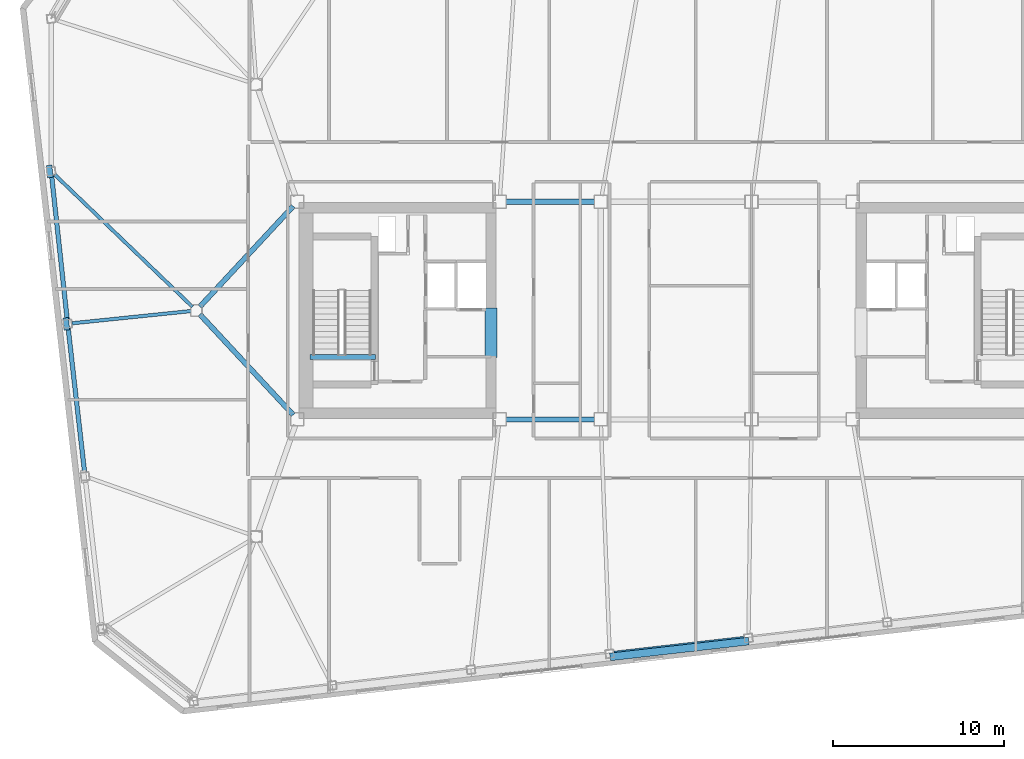
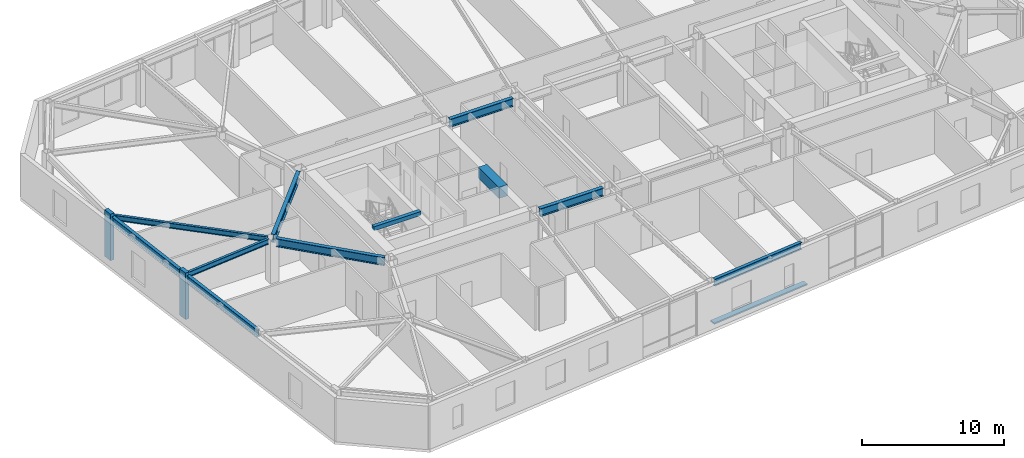
# One storey, part 5 of 19: 11 beams, 3 members.
"""IFC4 building model written with IfcOpenShell, lengths in metres."""

import ifcopenshell
import ifcopenshell.guid

model = None  # the IFC model being written
_history = None  # IfcOwnerHistory: only IFC2X3 demands one
_inside = {}  # id of a spatial element -> (the spatial element, [elements in it])
_under = {}  # id of a project, library or spatial element -> (it, [spatial elements below it])
_declared = {}  # id of a project -> (the project, [libraries it declares])
_typed = {}  # id of a type object -> (the type object, [elements of that type])
_made_of = {}  # id of a material, layer set ... -> (it, [elements and type objects made of it])


def new_model(schema):
    """Start an empty IFC model of exactly this schema.

    Asked for "IFC4X3", IfcOpenShell would pick the latest addendum, in which some entities
    have other attributes; the version numbers below select the first issue.
    IFC2X3 requires an IfcOwnerHistory on every rooted entity: one is made here for all.
    """
    global model, _history
    if schema == "IFC4X3":
        model = ifcopenshell.file(schema_version=(4, 3, 0, 0))
    else:
        model = ifcopenshell.file(schema=schema)
    _inside.clear()
    _under.clear()
    _declared.clear()
    _typed.clear()
    _made_of.clear()
    _history = None
    if model.schema == "IFC2X3":
        org = make("IfcOrganization", Name="unknown")
        user = make(
            "IfcPersonAndOrganization",
            ThePerson=make("IfcPerson", FamilyName="unknown"),
            TheOrganization=org,
        )
        app = make(
            "IfcApplication",
            ApplicationDeveloper=org,
            Version="unknown",
            ApplicationFullName="unknown",
            ApplicationIdentifier="unknown",
        )
        _history = make(
            "IfcOwnerHistory",
            OwningUser=user,
            OwningApplication=app,
            ChangeAction="ADDED",
            CreationDate=0,
        )
    return model


def make(cls, **values):
    """One entity of the class cls with the attributes given. An attribute that is None is left unset."""
    return model.create_entity(
        cls, **{name: value for name, value in values.items() if value is not None}
    )


def rooted(cls, **values):
    """An entity with a GlobalId (a new one), such as an element, a storey or a relation."""
    return make(cls, GlobalId=ifcopenshell.guid.new(), OwnerHistory=_history, **values)


def si_unit(unit_type, name, prefix=None):
    """IfcSIUnit, for example si_unit("LENGTHUNIT", "METRE", prefix="MILLI")."""
    return make("IfcSIUnit", UnitType=unit_type, Prefix=prefix, Name=name)


def assignment(units):
    """IfcUnitAssignment: the units of a project."""
    return None if units is None else make("IfcUnitAssignment", Units=units)


def point(xyz):
    """IfcCartesianPoint."""
    return None if xyz is None else make("IfcCartesianPoint", Coordinates=xyz)


def direction(xyz):
    """IfcDirection."""
    return None if xyz is None else make("IfcDirection", DirectionRatios=xyz)


def frame(location, z_axis=None, x_axis=None):
    """IfcAxis2Placement3D, a coordinate frame: its origin and axes. An axis left out is left unset."""
    return make(
        "IfcAxis2Placement3D",
        Location=point(location),
        Axis=direction(z_axis),
        RefDirection=direction(x_axis),
    )


def frame_2d(location, x_axis=None):
    """IfcAxis2Placement2D, a coordinate frame in the plane: its origin and x axis."""
    return make(
        "IfcAxis2Placement2D", Location=point(location), RefDirection=direction(x_axis)
    )


def origin():
    """The frame at (0, 0, 0) with its axes left unset."""
    return frame((0.0, 0.0, 0.0))


def origin_2d():
    """The frame at (0, 0) in the plane with its x axis left unset."""
    return frame_2d((0.0, 0.0))


def place(relative_to, where):
    """IfcLocalPlacement: puts the frame where relative to a parent placement (None: the world)."""
    return make(
        "IfcLocalPlacement", PlacementRelTo=relative_to, RelativePlacement=where
    )


def context(
    kind, dimensions, precision=None, world=None, true_north=None, identifier=None
):
    """IfcGeometricRepresentationContext, for example the 3D "Model" context."""
    return make(
        "IfcGeometricRepresentationContext",
        ContextIdentifier=identifier,
        ContextType=kind,
        CoordinateSpaceDimension=dimensions,
        Precision=precision,
        WorldCoordinateSystem=world,
        TrueNorth=true_north,
    )


def subcontext(parent, identifier, kind, view, scale=None):
    """IfcGeometricRepresentationSubContext, for example "Body" below "Model"."""
    return make(
        "IfcGeometricRepresentationSubContext",
        ContextIdentifier=identifier,
        ContextType=kind,
        ParentContext=parent,
        TargetScale=scale,
        TargetView=view,
    )


def project(units=None, contexts=None):
    """IfcProject with its units and contexts."""
    return rooted(
        "IfcProject",
        Name="project",
        RepresentationContexts=contexts,
        UnitsInContext=assignment(units),
    )


def spatial(cls, under=None, at=None, **own):
    """A site, building, storey or space (cls), placed at a placement, below another one or the project."""
    s = rooted(cls, ObjectPlacement=at, **own)
    if under is not None:
        _under.setdefault(under.id(), (under, []))[1].append(s)
    return s


def profile(cls, at=None, kind="AREA", **sizes):
    """A parametric profile (cls). Its sizes go by their IFC names, for example OverallWidth=200.0."""
    return make(cls, ProfileType=kind, Position=at, **sizes)


def rectangle(**sizes):
    """IfcRectangleProfileDef."""
    return profile("IfcRectangleProfileDef", **sizes)


def i_section(**sizes):
    """IfcIShapeProfileDef."""
    return profile("IfcIShapeProfileDef", **sizes)


def extrude(swept, where, along, depth):
    """IfcExtrudedAreaSolid: the profile swept, set in the frame where, extruded along a direction by depth."""
    return make(
        "IfcExtrudedAreaSolid",
        SweptArea=swept,
        Position=where,
        ExtrudedDirection=direction(along),
        Depth=depth,
    )


def shape(context_of_items, identifier, shape_type, items):
    """IfcShapeRepresentation: the items that make up one representation, for example the "Body"."""
    return make(
        "IfcShapeRepresentation",
        ContextOfItems=context_of_items,
        RepresentationIdentifier=identifier,
        RepresentationType=shape_type,
        Items=items,
    )


def material(Name=None, Category=None):
    """IfcMaterial."""
    return make("IfcMaterial", Name=Name, Category=Category)


def material_profile(
    of_material, cross_section, Name=None, Category=None, Priority=None
):
    """IfcMaterialProfile: a cross section and its material."""
    return make(
        "IfcMaterialProfile",
        Name=Name,
        Material=of_material,
        Profile=cross_section,
        Priority=Priority,
        Category=Category,
    )


def profile_set(profiles, Name=None, composite=None):
    """IfcMaterialProfileSet."""
    return make(
        "IfcMaterialProfileSet",
        Name=Name,
        MaterialProfiles=profiles,
        CompositeProfile=composite,
    )


def made_of(thing, what):
    """Note that an element or type object is made of a material, layer set ...; save() writes the relation."""
    if what is not None:
        _made_of.setdefault(what.id(), (what, []))[1].append(thing)
    return thing


def type_object(cls, material=None, **own):
    """A type object (cls), such as IfcWallType, which elements share."""
    return made_of(rooted(cls, **own), material)


def element(
    cls,
    number,
    at=None,
    inside=None,
    cuts=None,
    type_object=None,
    material=None,
    context=None,
    identifier="Body",
    shape_type=None,
    held_by="IfcProductDefinitionShape",
    body=None,
    shapes=None,
    **own,
):
    """One element of the class cls, such as IfcWall. Its Tag is "e" and its number.

    at: its placement. inside: the storey or other place that contains it. cuts: it is an
    opening in that element (IfcRelVoidsElement). A single representation is given by context,
    identifier, shape_type and body (its items); several are given by shapes. held_by: the class
    of the entity that holds the representations. save() writes the other relations.
    """
    e = rooted(cls, Tag="e%d" % number, ObjectPlacement=at, **own)
    if body is not None:
        shapes = [shape(context, identifier, shape_type, body)]
    if shapes is not None:
        e.Representation = make(held_by, Representations=shapes)
    if inside is not None:
        _inside.setdefault(inside.id(), (inside, []))[1].append(e)
    if cuts is not None:
        rooted(
            "IfcRelVoidsElement", RelatingBuildingElement=cuts, RelatedOpeningElement=e
        )
    if type_object is not None:
        _typed.setdefault(type_object.id(), (type_object, []))[1].append(e)
    return made_of(e, material)


def aggregate(whole, parts):
    """IfcRelAggregates: a whole, such as a stair, and the parts it consists of."""
    return rooted("IfcRelAggregates", RelatingObject=whole, RelatedObjects=parts)


def save(model, path):
    """Write the relations noted so far, then the file.

    IfcRelAggregates (storeys below a building ...), IfcRelContainedInSpatialStructure (elements
    in a storey), IfcRelDefinesByType, IfcRelAssociatesMaterial and IfcRelDeclares: one each for
    every whole, place, type object, material and project.
    """
    for whole, parts in _under.values():
        aggregate(whole, parts)
    for where, things in _inside.values():
        rooted(
            "IfcRelContainedInSpatialStructure",
            RelatedElements=things,
            RelatingStructure=where,
        )
    for kind, things in _typed.values():
        rooted("IfcRelDefinesByType", RelatedObjects=things, RelatingType=kind)
    for what, things in _made_of.values():
        rooted("IfcRelAssociatesMaterial", RelatedObjects=things, RelatingMaterial=what)
    for by, libraries in _declared.values():
        rooted("IfcRelDeclares", RelatingContext=by, RelatedDefinitions=libraries)
    model.write(path)


model = new_model("IFC4")

# Units and contexts
model_context = context("Model", 3, precision=1e-05, world=origin(), true_north=direction((0.0, 1.0)))
body_context = subcontext(model_context, "Body", "Model", "MODEL_VIEW")
ifc_project = project(units=[si_unit("LENGTHUNIT", "METRE"), si_unit("AREAUNIT", "SQUARE_METRE"), si_unit("VOLUMEUNIT", "CUBIC_METRE"), si_unit("PLANEANGLEUNIT", "RADIAN"), si_unit("MASSUNIT", "GRAM", prefix="KILO")], contexts=[model_context])

# Site, building, storey
site_placement = place(None, origin())
site = spatial("IfcSite", under=ifc_project, at=site_placement, CompositionType="ELEMENT")
building_placement = place(site_placement, origin())
building = spatial("IfcBuilding", under=site, at=building_placement, Name="Tavrogorsk Clinical Tower", CompositionType="ELEMENT")
storey_placement = place(building_placement, frame((0.0, 0.0, 255.0)))
storey = spatial("IfcBuildingStorey", under=building, at=storey_placement, Name="L59", CompositionType="ELEMENT", Elevation=255.0)

# Member
ifc_material_1 = material(Name="Anodised aluminium alloy AW-6063", Category="aluminium")
ifc_material_profile_1 = material_profile(ifc_material_1, rectangle(XDim=0.449951171875, YDim=0.1201171875, at=origin_2d()), Name="ALU-SUNSHADE-450x120")
ifc_profile_set_1 = profile_set([ifc_material_profile_1], Name="Anodised aluminium alloy AW-6063")
member_type_1 = type_object("IfcMemberType", Name="ChicagoSunshade_450x120", PredefinedType="USERDEFINED", material=ifc_profile_set_1)
member_placement = place(storey_placement, frame((-3.855712890625, -20.214111328125, 0.179931640625), z_axis=(0.99356960656, 0.11322295227, 0.0), x_axis=(-0.11322295227, 0.99356960656, 0.0)))
element("IfcMember", 1, at=member_placement, inside=storey, type_object=member_type_1, Name="L59 South Aluminium Sunshade S4", ObjectType="SUNSHADE", PredefinedType="USERDEFINED", context=body_context, shape_type="SweptSolid", body=[
    extrude(rectangle(XDim=0.449951171875, YDim=0.1201171875, at=origin_2d()), origin(), (0.0, 0.0, 1.0), 8.148681640625),
])

# Beams
ifc_material_2 = material(Name="Concrete B80", Category="concrete")
ifc_material_profile_2 = material_profile(ifc_material_2, rectangle(XDim=0.699951171875, YDim=0.949951171875, at=origin_2d()), Name="RC-CB-700x950")
ifc_profile_set_2 = profile_set([ifc_material_profile_2], Name="Concrete B80")
beam_type_1 = type_object("IfcBeamType", Name="CouplingBeam_RC700x950", PredefinedType="LINTEL", material=ifc_profile_set_2)
beam_1_placement = place(storey_placement, frame((-10.800048828125, -2.75, 3.264892578125), z_axis=(0.0, 1.0, 0.0), x_axis=(-1.0, 0.0, 0.0)))
element("IfcBeam", 2, at=beam_1_placement, inside=storey, type_object=beam_type_1, Name="L59 Core West Coupling Beam", PredefinedType="LINTEL", context=body_context, shape_type="SweptSolid", body=[
    extrude(rectangle(XDim=0.699951171875, YDim=0.949951171875, at=origin_2d()), origin(), (0.0, 0.0, 1.0), 2.89990234375),
])
ifc_material_3 = material(Name="Structural steel S355", Category="steel")
ifc_material_profile_3 = material_profile(ifc_material_3, i_section(OverallWidth=0.199951171875, OverallDepth=0.449951171875, WebThickness=0.011474609375, FlangeThickness=0.01806640625, at=origin_2d()), Name="B-450x200x11.5x18")
ifc_profile_set_3 = profile_set([ifc_material_profile_3], Name="Structural steel S355")
beam_type_2 = type_object("IfcBeamType", Name="FloorBeam_B450", PredefinedType="BEAM", material=ifc_profile_set_3)
beam_2_placement = place(storey_placement, frame((-28.2236328125, 0.214599609375, 3.514892578125), z_axis=(-0.721413519982, 0.692504536582, 0.0), x_axis=(-0.692504536582, -0.721413519982, 0.0)))
element("IfcBeam", 3, at=beam_2_placement, inside=storey, type_object=beam_type_2, Name="L59 Radial Floor Beam W2", PredefinedType="BEAM", context=body_context, shape_type="SweptSolid", body=[
    extrude(i_section(OverallWidth=0.199951171875, OverallDepth=0.449951171875, WebThickness=0.011474609375, FlangeThickness=0.01806640625, at=origin_2d()), origin(), (0.0, 0.0, 1.0), 11.1728515625),
])
beam_3_placement = place(storey_placement, frame((-28.308349609375, -0.03173828125, 3.514892578125), z_axis=(-0.994752624307, -0.102309415177, 0.0), x_axis=(0.102309415177, -0.994752624307, 0.0)))
element("IfcBeam", 4, at=beam_3_placement, inside=storey, type_object=beam_type_2, Name="L59 Radial Floor Beam W3", PredefinedType="BEAM", context=body_context, shape_type="SweptSolid", body=[
    extrude(i_section(OverallWidth=0.199951171875, OverallDepth=0.449951171875, WebThickness=0.011474609375, FlangeThickness=0.01806640625, at=origin_2d()), origin(), (0.0, 0.0, 1.0), 6.9775390625),
])

# Members
ifc_material_4 = material(Name="Precast concrete B45 with limestone cladding", Category="masonry")
ifc_material_profile_4 = material_profile(ifc_material_4, rectangle(XDim=0.320068359375, YDim=0.719970703125, at=origin_2d()), Name="LIMESTONE-FIN-320x720")
ifc_profile_set_4 = profile_set([ifc_material_profile_4], Name="Precast concrete B45 with limestone cladding")
member_type_2 = type_object("IfcMemberType", Name="LimestonePleatFin_320x720", PredefinedType="USERDEFINED", material=ifc_profile_set_4)
for number, where, z_axis, x_axis, name in (
    (5, (-36.549560546875, 8.121337890625, 0.0), (0.0, 0.0, 1.0), (0.993571855677, 0.113203213768, 0.0), "L59 W Pleated Stone Fin 1"),
    (6, (-35.585205078125, -0.781005859375, 0.0), (0.0, 0.0, 1.0), (0.993571855677, 0.113203213768, 0.0), "L59 W Pleated Stone Fin 2"),
):
    element("IfcMember", number, at=place(storey_placement, frame(where, z_axis=z_axis, x_axis=x_axis)), inside=storey, type_object=member_type_2, Name=name, ObjectType="FIN", PredefinedType="USERDEFINED", context=body_context, shape_type="SweptSolid", body=[
        extrude(rectangle(XDim=0.320068359375, YDim=0.719970703125, at=origin_2d()), origin(), (0.0, 0.0, 1.0), 4.0),
    ])

# Beams
ifc_material_5 = material(Name="Structural steel S390", Category="steel")
ifc_material_profile_5 = material_profile(ifc_material_5, i_section(OverallWidth=0.300048828125, OverallDepth=0.699951171875, WebThickness=0.01708984375, FlangeThickness=0.028076171875, at=origin_2d()), Name="B-700x300x17x28")
ifc_profile_set_5 = profile_set([ifc_material_profile_5], Name="Structural steel S390")
beam_type_3 = type_object("IfcBeamType", Name="PrimaryGirder_B700", PredefinedType="USERDEFINED", material=ifc_profile_set_5)
for number, where, z_axis, x_axis, name in (
    (7, (-9.93994140625, -6.35009765625, 3.389892578125), (1.0, 0.0, 0.0), (0.0, 1.0, 0.0), "L59 Primary Spine Girder MG-01"),
    (8, (-9.93994140625, 6.35009765625, 3.389892578125), (1.0, 0.0, 0.0), (0.0, 1.0, 0.0), "L59 Primary Spine Girder MG-02"),
):
    element("IfcBeam", number, at=place(storey_placement, frame(where, z_axis=z_axis, x_axis=x_axis)), inside=storey, type_object=beam_type_3, Name=name, ObjectType="GIRDER", PredefinedType="USERDEFINED", context=body_context, shape_type="SweptSolid", body=[
        extrude(i_section(OverallWidth=0.300048828125, OverallDepth=0.699951171875, WebThickness=0.01708984375, FlangeThickness=0.028076171875, at=origin_2d()), origin(), (0.0, 0.0, 1.0), 5.179931640625),
    ])
for number, where, z_axis, x_axis, name in (
    (9, (-27.7890625, -0.22705078125, 3.389892578125), (0.680684060959, -0.732577101168, 0.0), (0.732577101168, 0.680684060959, 0.0), "L59 Spine Link Girder OPG-5"),
    (10, (-27.7890625, 0.22705078125, 3.389892578125), (0.680684060959, 0.732577101168, 0.0), (-0.732577101168, 0.680684060959, 0.0), "L59 Spine Link Girder OPG-6"),
):
    element("IfcBeam", number, at=place(storey_placement, frame(where, z_axis=z_axis, x_axis=x_axis)), inside=storey, type_object=beam_type_3, Name=name, ObjectType="GIRDER", PredefinedType="USERDEFINED", context=body_context, shape_type="SweptSolid", body=[
        extrude(i_section(OverallWidth=0.300048828125, OverallDepth=0.699951171875, WebThickness=0.01708984375, FlangeThickness=0.028076171875, at=origin_2d()), origin(), (0.0, 0.0, 1.0), 7.998046875),
    ])
ifc_material_6 = material(Name="Structural steel S390", Category="steel")
ifc_material_profile_6 = material_profile(ifc_material_6, i_section(OverallWidth=0.260009765625, OverallDepth=0.60009765625, WebThickness=0.014892578125, FlangeThickness=0.02392578125, at=origin_2d()), Name="B-600x260x15x24")
ifc_profile_set_6 = profile_set([ifc_material_profile_6], Name="Structural steel S390")
beam_type_4 = type_object("IfcBeamType", Name="SpandrelBeam_B600", PredefinedType="SPANDREL", material=ifc_profile_set_6)
beam_4_placement = place(storey_placement, frame((-3.619873046875, -20.006103515625, 3.43994140625), z_axis=(0.993568911788, 0.113229048956, 0.0), x_axis=(-0.113229048956, 0.993568911788, 0.0)))
element("IfcBeam", 11, at=beam_4_placement, inside=storey, type_object=beam_type_4, Name="L59 Perimeter Spandrel S4-S5", PredefinedType="SPANDREL", context=body_context, shape_type="SweptSolid", body=[
    extrude(i_section(OverallWidth=0.260009765625, OverallDepth=0.60009765625, WebThickness=0.014892578125, FlangeThickness=0.02392578125, at=origin_2d()), origin(), (0.0, 0.0, 1.0), 7.6328125),
])
beam_5_placement = place(storey_placement, frame((-36.442138671875, 7.8740234375, 3.43994140625), z_axis=(0.107655746314, -0.994188231818, 0.0), x_axis=(0.994188231818, 0.107655746314, 0.0)))
element("IfcBeam", 12, at=beam_5_placement, inside=storey, type_object=beam_type_4, Name="L59 Perimeter Spandrel W2-W3", PredefinedType="SPANDREL", context=body_context, shape_type="SweptSolid", body=[
    extrude(i_section(OverallWidth=0.260009765625, OverallDepth=0.60009765625, WebThickness=0.014892578125, FlangeThickness=0.02392578125, at=origin_2d()), origin(), (0.0, 0.0, 1.0), 8.4384765625),
])
beam_6_placement = place(storey_placement, frame((-35.4765625, -1.0283203125, 3.43994140625), z_axis=(0.113195129234, -0.99357277676, 0.0), x_axis=(0.99357277676, 0.113195129234, 0.0)))
element("IfcBeam", 13, at=beam_6_placement, inside=storey, type_object=beam_type_4, Name="L59 Perimeter Spandrel W3-W4", PredefinedType="SPANDREL", context=body_context, shape_type="SweptSolid", body=[
    extrude(i_section(OverallWidth=0.260009765625, OverallDepth=0.60009765625, WebThickness=0.014892578125, FlangeThickness=0.02392578125, at=origin_2d()), origin(), (0.0, 0.0, 1.0), 8.44384765625),
])
ifc_material_7 = material(Name="Concrete B60", Category="concrete")
ifc_material_profile_7 = material_profile(ifc_material_7, rectangle(XDim=0.300048828125, YDim=0.35009765625, at=origin_2d()), Name="RC-SHB-300x350")
ifc_profile_set_7 = profile_set([ifc_material_profile_7], Name="Concrete B60")
beam_type_5 = type_object("IfcBeamType", Name="StairHeaderBeam_RC300x350", PredefinedType="BEAM", material=ifc_profile_set_7)
beam_7_placement = place(storey_placement, frame((-21.35009765625, -2.719970703125, 3.824951171875), z_axis=(1.0, 0.0, 0.0), x_axis=(0.0, 1.0, 0.0)))
element("IfcBeam", 14, at=beam_7_placement, inside=storey, type_object=beam_type_5, Name="L60 ST-W Landing Header Beam", PredefinedType="BEAM", context=body_context, shape_type="SweptSolid", body=[
    extrude(rectangle(XDim=0.300048828125, YDim=0.35009765625, at=origin_2d()), origin(), (0.0, 0.0, 1.0), 3.800048828125),
])

save(model, "model.ifc")
